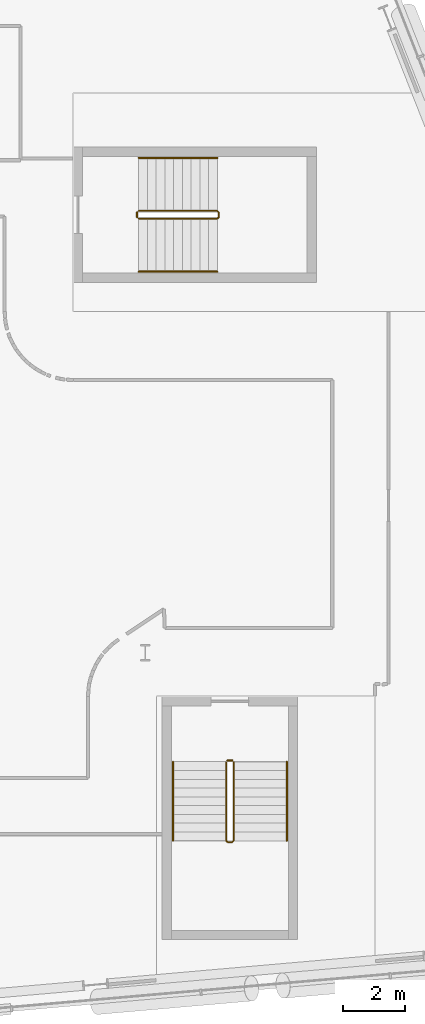
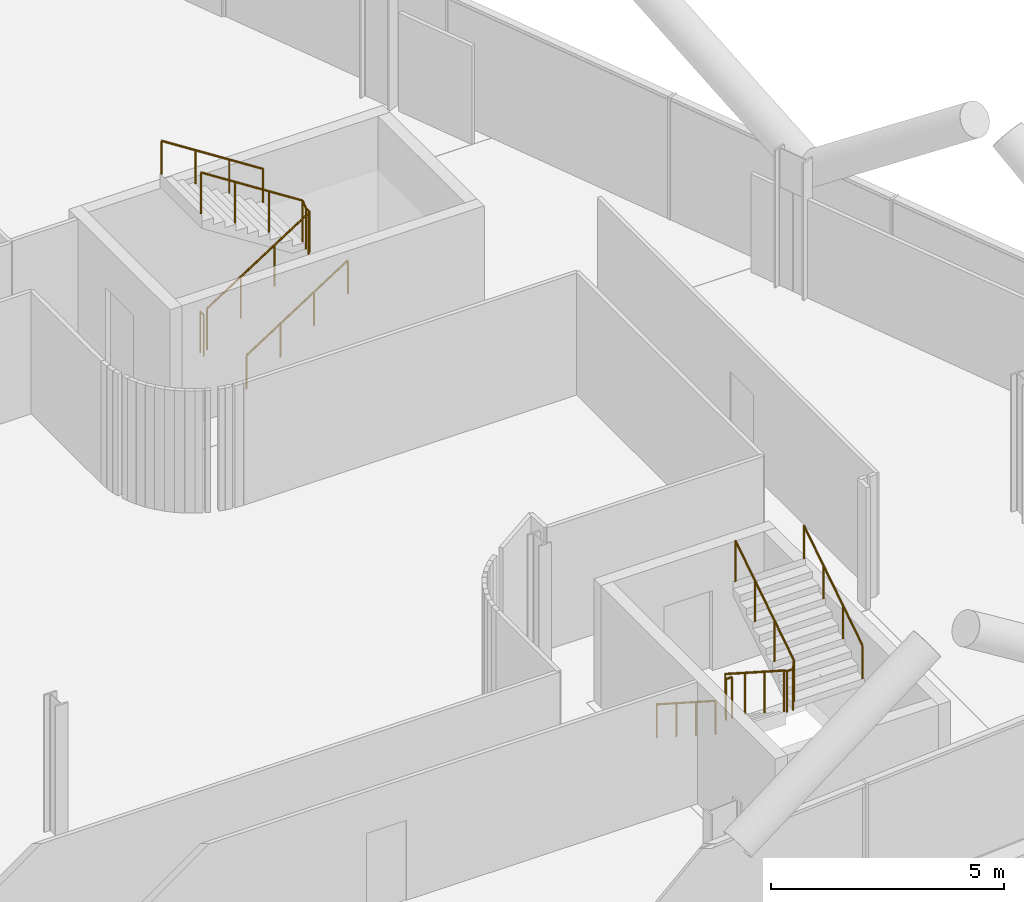
# One storey, part 30 of 30: 8 railings.
"""IFC4 building model written with IfcOpenShell, lengths in metres."""

from ifc_helpers import new_model, si_unit, direction, frame, origin, origin_2d, place, context, subcontext, project, spatial, circle, extrude, material, type_object, element, save


model = new_model("IFC4")

# Units and contexts
model_context = context("Model", 3, precision=1e-05, world=origin(), true_north=direction((0.0, 1.0)))
body_context = subcontext(model_context, "Body", "Model", "MODEL_VIEW")
ifc_project = project(units=[si_unit("LENGTHUNIT", "METRE"), si_unit("AREAUNIT", "SQUARE_METRE"), si_unit("VOLUMEUNIT", "CUBIC_METRE"), si_unit("PLANEANGLEUNIT", "RADIAN"), si_unit("MASSUNIT", "GRAM", prefix="KILO")], contexts=[model_context])

# Site, building, storey
site_placement = place(None, origin())
site = spatial("IfcSite", under=ifc_project, at=site_placement, CompositionType="ELEMENT")
building_placement = place(site_placement, origin())
building = spatial("IfcBuilding", under=site, at=building_placement, Name="Wharfspan Tower", CompositionType="ELEMENT")
storey_placement = place(building_placement, frame((0.0, 0.0, 100.300049)))
storey = spatial("IfcBuildingStorey", under=building, at=storey_placement, Name="L22", CompositionType="ELEMENT", Elevation=100.300049)

# Railings
ifc_material = material(Name="Steel S355J2", Category="steel")
railing_type_1 = type_object("IfcRailingType", Name="Stair guard 1100", PredefinedType="GUARDRAIL", material=ifc_material)
railing_1_placement = place(storey_placement, frame((74.591064, 7.994629, 0.179932)))
element("IfcRailing", 1, at=railing_1_placement, inside=storey, type_object=railing_type_1, Name="L22 ST5 stair guard 1", PredefinedType="GUARDRAIL", context=body_context, shape_type="SweptSolid", body=[
    extrude(circle(Radius=0.023926, at=origin_2d()), frame((0.0, 0.0, 1.076172), z_axis=(0.0, -0.841163, 0.540782), x_axis=(1.0, 0.0, 0.0)), (0.0, 0.0, 1.0), 2.99585),
    extrude(circle(Radius=0.023926, at=origin_2d()), frame((0.0, -2.52002, 2.696289), z_axis=(0.707107, -0.707107, 0.0), x_axis=(0.707107, 0.707107, 0.0)), (0.0, 0.0, 1.0), 0.070801),
    extrude(circle(Radius=0.023926, at=origin_2d()), frame((0.050049, -2.570068, 2.696289), z_axis=(1.0, 0.0, 0.0), x_axis=(0.0, 1.0, 0.0)), (0.0, 0.0, 1.0), 0.149902),
    extrude(circle(Radius=0.023926, at=origin_2d()), frame((0.199951, -2.570068, 2.696289), z_axis=(0.258848, 0.258848, 0.930589), x_axis=(-0.707107, 0.707107, 0.0)), (0.0, 0.0, 1.0), 0.193359),
    extrude(circle(Radius=0.023926, at=origin_2d()), frame((0.25, -2.52002, 2.875977), z_axis=(0.0, 0.8412, 0.540725), x_axis=(-1.0, 0.0, 0.0)), (0.0, 0.0, 1.0), 2.99585),
    extrude(circle(Radius=0.020996, at=origin_2d()), origin(), (0.0, 0.0, 1.0), 1.052002),
    extrude(circle(Radius=0.020996, at=origin_2d()), frame((0.0, -0.840088, 0.540039)), (0.0, 0.0, 1.0), 1.052002),
    extrude(circle(Radius=0.020996, at=origin_2d()), frame((0.0, -1.679932, 1.080078)), (0.0, 0.0, 1.0), 1.052002),
    extrude(circle(Radius=0.020996, at=origin_2d()), frame((0.0, -2.52002, 1.620117)), (0.0, 0.0, 1.0), 1.052002),
    extrude(circle(Radius=0.020996, at=origin_2d()), frame((0.050049, -2.570068, 1.620117)), (0.0, 0.0, 1.0), 1.052002),
    extrude(circle(Radius=0.020996, at=origin_2d()), frame((0.199951, -2.570068, 1.620117)), (0.0, 0.0, 1.0), 1.052002),
    extrude(circle(Radius=0.020996, at=origin_2d()), frame((0.25, -2.52002, 1.800049)), (0.0, 0.0, 1.0), 1.052002),
    extrude(circle(Radius=0.020996, at=origin_2d()), frame((0.25, -1.679932, 2.340088)), (0.0, 0.0, 1.0), 1.052002),
    extrude(circle(Radius=0.020996, at=origin_2d()), frame((0.25, -0.840088, 2.879883)), (0.0, 0.0, 1.0), 1.052002),
    extrude(circle(Radius=0.020996, at=origin_2d()), frame((0.25, 0.0, 3.419922)), (0.0, 0.0, 1.0), 1.052002),
])
railing_2_placement = place(storey_placement, frame((74.641113, 8.044678, 0.0)))
element("IfcRailing", 2, at=railing_2_placement, inside=storey, type_object=railing_type_1, Name="L22 ST5 stair guard 2", PredefinedType="GUARDRAIL", context=body_context, shape_type="SweptSolid", body=[
    extrude(circle(Radius=0.023926, at=origin_2d()), frame((0.0, 0.0, 1.076172), z_axis=(1.0, 0.0, 0.0), x_axis=(0.0, 1.0, 0.0)), (0.0, 0.0, 1.0), 0.149902),
    extrude(circle(Radius=0.020996, at=origin_2d()), origin(), (0.0, 0.0, 1.0), 1.052002),
    extrude(circle(Radius=0.020996, at=origin_2d()), frame((0.149902, 0.0, 0.0)), (0.0, 0.0, 1.0), 1.052002),
])
railing_3_placement = place(storey_placement, frame((71.790283, 25.425049, 0.179932)))
element("IfcRailing", 3, at=railing_3_placement, inside=storey, type_object=railing_type_1, Name="L22 ST6 stair guard 1", PredefinedType="GUARDRAIL", context=body_context, shape_type="SweptSolid", body=[
    extrude(circle(Radius=0.023926, at=origin_2d()), frame((0.0, 0.0, 1.076172), z_axis=(0.841163, 0.0, 0.540782), x_axis=(0.0, 1.0, 0.0)), (0.0, 0.0, 1.0), 2.99585),
    extrude(circle(Radius=0.023926, at=origin_2d()), frame((2.52002, 0.0, 2.696289), z_axis=(0.707107, 0.707107, 0.0), x_axis=(-0.707107, 0.707107, 0.0)), (0.0, 0.0, 1.0), 0.070801),
    extrude(circle(Radius=0.023926, at=origin_2d()), frame((2.570068, 0.050049, 2.696289), z_axis=(0.0, 1.0, 0.0), x_axis=(-1.0, 0.0, 0.0)), (0.0, 0.0, 1.0), 0.149902),
    extrude(circle(Radius=0.023926, at=origin_2d()), frame((2.570068, 0.199951, 2.696289), z_axis=(-0.258848, 0.258848, 0.930589), x_axis=(-0.707107, -0.707107, 0.0)), (0.0, 0.0, 1.0), 0.193359),
    extrude(circle(Radius=0.023926, at=origin_2d()), frame((2.52002, 0.25, 2.875977), z_axis=(-0.8412, 0.0, 0.540725), x_axis=(0.0, -1.0, 0.0)), (0.0, 0.0, 1.0), 2.99585),
    extrude(circle(Radius=0.020996, at=origin_2d()), origin(), (0.0, 0.0, 1.0), 1.052002),
    extrude(circle(Radius=0.020996, at=origin_2d()), frame((0.840088, 0.0, 0.540039)), (0.0, 0.0, 1.0), 1.052002),
    extrude(circle(Radius=0.020996, at=origin_2d()), frame((1.679932, 0.0, 1.080078)), (0.0, 0.0, 1.0), 1.052002),
    extrude(circle(Radius=0.020996, at=origin_2d()), frame((2.52002, 0.0, 1.620117)), (0.0, 0.0, 1.0), 1.052002),
    extrude(circle(Radius=0.020996, at=origin_2d()), frame((2.570068, 0.050049, 1.620117)), (0.0, 0.0, 1.0), 1.052002),
    extrude(circle(Radius=0.020996, at=origin_2d()), frame((2.570068, 0.199951, 1.620117)), (0.0, 0.0, 1.0), 1.052002),
    extrude(circle(Radius=0.020996, at=origin_2d()), frame((2.52002, 0.25, 1.800049)), (0.0, 0.0, 1.0), 1.052002),
    extrude(circle(Radius=0.020996, at=origin_2d()), frame((1.679932, 0.25, 2.340088)), (0.0, 0.0, 1.0), 1.052002),
    extrude(circle(Radius=0.020996, at=origin_2d()), frame((0.840088, 0.25, 2.879883)), (0.0, 0.0, 1.0), 1.052002),
    extrude(circle(Radius=0.020996, at=origin_2d()), frame((0.0, 0.25, 3.419922)), (0.0, 0.0, 1.0), 1.052002),
])
railing_4_placement = place(storey_placement, frame((71.740479, 25.475098, 0.0)))
element("IfcRailing", 4, at=railing_4_placement, inside=storey, type_object=railing_type_1, Name="L22 ST6 stair guard 2", PredefinedType="GUARDRAIL", context=body_context, shape_type="SweptSolid", body=[
    extrude(circle(Radius=0.023926, at=origin_2d()), frame((0.0, 0.0, 1.076172), z_axis=(0.0, 1.0, 0.0), x_axis=(-1.0, 0.0, 0.0)), (0.0, 0.0, 1.0), 0.149902),
    extrude(circle(Radius=0.020996, at=origin_2d()), origin(), (0.0, 0.0, 1.0), 1.052002),
    extrude(circle(Radius=0.020996, at=origin_2d()), frame((0.0, 0.149902, 0.0)), (0.0, 0.0, 1.0), 1.052002),
])
railing_type_2 = type_object("IfcRailingType", Name="Stair handrail 900", PredefinedType="HANDRAIL", material=ifc_material)
railing_5_placement = place(storey_placement, frame((72.891113, 7.994629, 0.179932)))
element("IfcRailing", 5, at=railing_5_placement, inside=storey, type_object=railing_type_2, Name="L22 ST5 stair handrail 1", PredefinedType="HANDRAIL", context=body_context, shape_type="SweptSolid", body=[
    extrude(circle(Radius=0.023926, at=origin_2d()), frame((0.0, 0.0, 0.875977), z_axis=(0.0, -0.841163, 0.540782), x_axis=(1.0, 0.0, 0.0)), (0.0, 0.0, 1.0), 2.99585),
    extrude(circle(Radius=0.020996, at=origin_2d()), origin(), (0.0, 0.0, 1.0), 0.851807),
    extrude(circle(Radius=0.020996, at=origin_2d()), frame((0.0, -0.840088, 0.540039)), (0.0, 0.0, 1.0), 0.851807),
    extrude(circle(Radius=0.020996, at=origin_2d()), frame((0.0, -1.679932, 1.080078)), (0.0, 0.0, 1.0), 0.851807),
    extrude(circle(Radius=0.020996, at=origin_2d()), frame((0.0, -2.52002, 1.620117)), (0.0, 0.0, 1.0), 0.851807),
])
railing_6_placement = place(storey_placement, frame((76.541016, 5.474609, 1.97998)))
element("IfcRailing", 6, at=railing_6_placement, inside=storey, type_object=railing_type_2, Name="L22 ST5 stair handrail 2", PredefinedType="HANDRAIL", context=body_context, shape_type="SweptSolid", body=[
    extrude(circle(Radius=0.023926, at=origin_2d()), frame((0.0, 0.0, 0.875977), z_axis=(0.0, 0.8412, 0.540725), x_axis=(-1.0, 0.0, 0.0)), (0.0, 0.0, 1.0), 2.99585),
    extrude(circle(Radius=0.020996, at=origin_2d()), origin(), (0.0, 0.0, 1.0), 0.851807),
    extrude(circle(Radius=0.020996, at=origin_2d()), frame((0.0, 0.840088, 0.540039)), (0.0, 0.0, 1.0), 0.851807),
    extrude(circle(Radius=0.020996, at=origin_2d()), frame((0.0, 1.679932, 1.079834)), (0.0, 0.0, 1.0), 0.851807),
    extrude(circle(Radius=0.020996, at=origin_2d()), frame((0.0, 2.52002, 1.619873)), (0.0, 0.0, 1.0), 0.851807),
])
railing_7_placement = place(storey_placement, frame((71.790283, 23.725098, 0.179932)))
element("IfcRailing", 7, at=railing_7_placement, inside=storey, type_object=railing_type_2, Name="L22 ST6 stair handrail 1", PredefinedType="HANDRAIL", context=body_context, shape_type="SweptSolid", body=[
    extrude(circle(Radius=0.023926, at=origin_2d()), frame((0.0, 0.0, 0.875977), z_axis=(0.841163, 0.0, 0.540782), x_axis=(0.0, 1.0, 0.0)), (0.0, 0.0, 1.0), 2.99585),
    extrude(circle(Radius=0.020996, at=origin_2d()), origin(), (0.0, 0.0, 1.0), 0.851807),
    extrude(circle(Radius=0.020996, at=origin_2d()), frame((0.840088, 0.0, 0.540039)), (0.0, 0.0, 1.0), 0.851807),
    extrude(circle(Radius=0.020996, at=origin_2d()), frame((1.679932, 0.0, 1.080078)), (0.0, 0.0, 1.0), 0.851807),
    extrude(circle(Radius=0.020996, at=origin_2d()), frame((2.52002, 0.0, 1.620117)), (0.0, 0.0, 1.0), 0.851807),
])
railing_8_placement = place(storey_placement, frame((74.310303, 27.375, 1.97998)))
element("IfcRailing", 8, at=railing_8_placement, inside=storey, type_object=railing_type_2, Name="L22 ST6 stair handrail 2", PredefinedType="HANDRAIL", context=body_context, shape_type="SweptSolid", body=[
    extrude(circle(Radius=0.023926, at=origin_2d()), frame((0.0, 0.0, 0.875977), z_axis=(-0.8412, 0.0, 0.540725), x_axis=(0.0, -1.0, 0.0)), (0.0, 0.0, 1.0), 2.99585),
    extrude(circle(Radius=0.020996, at=origin_2d()), origin(), (0.0, 0.0, 1.0), 0.851807),
    extrude(circle(Radius=0.020996, at=origin_2d()), frame((-0.840088, 0.0, 0.540039)), (0.0, 0.0, 1.0), 0.851807),
    extrude(circle(Radius=0.020996, at=origin_2d()), frame((-1.679932, 0.0, 1.079834)), (0.0, 0.0, 1.0), 0.851807),
    extrude(circle(Radius=0.020996, at=origin_2d()), frame((-2.52002, 0.0, 1.619873)), (0.0, 0.0, 1.0), 0.851807),
])

save(model, "model.ifc")
